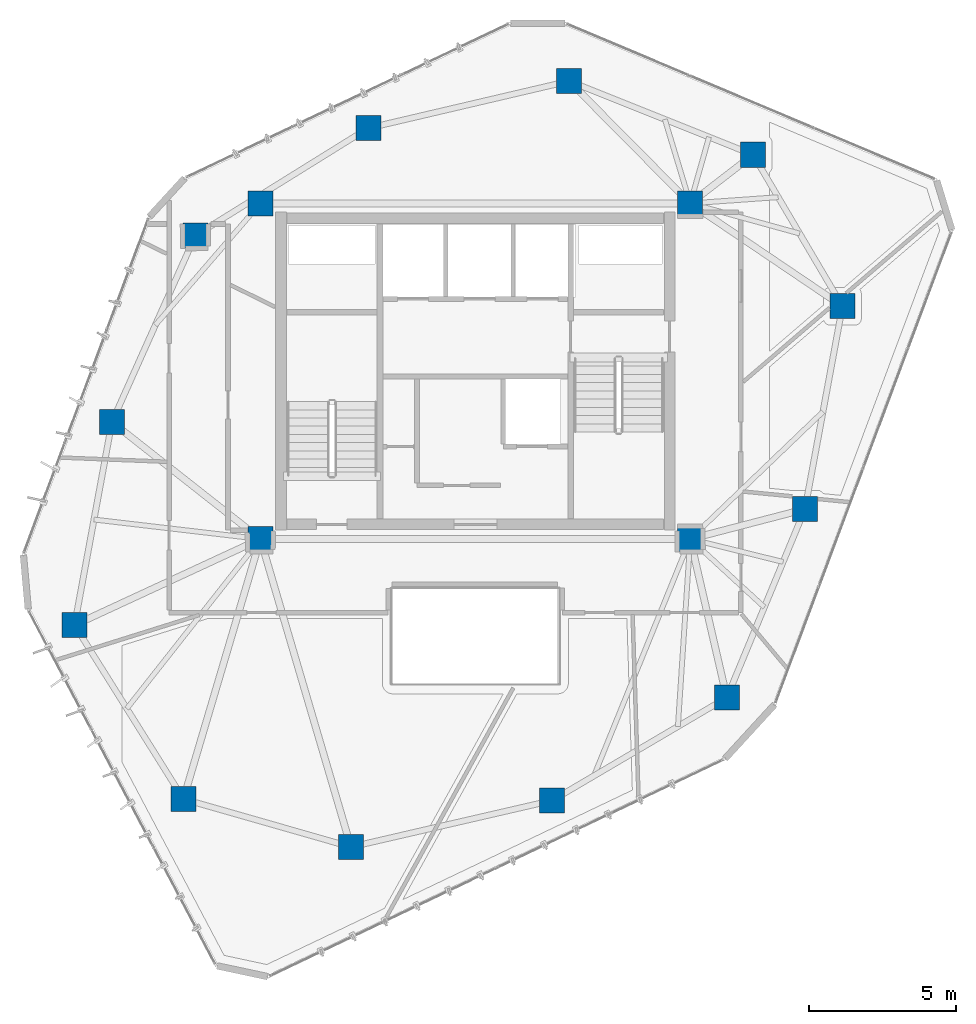
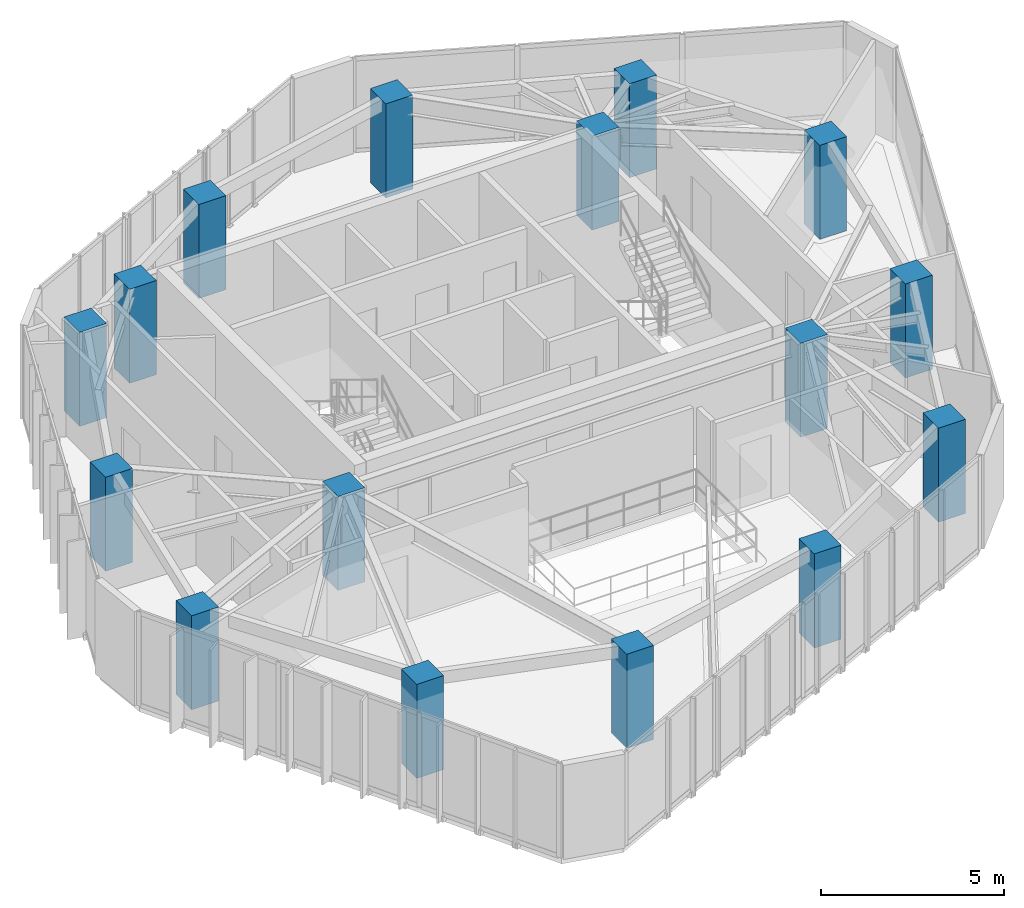
# One storey, part 1 of 20: 16 columns.
"""IFC4 building model written with IfcOpenShell, lengths in metres."""

from ifc_helpers import new_model, si_unit, direction, frame, origin, origin_2d, place, context, subcontext, project, spatial, rectangle, extrude, material, material_profile, profile_set, type_object, element, save


model = new_model("IFC4")

# Units and contexts
model_context = context("Model", 3, precision=1e-05, world=origin(), true_north=direction((0.0, 1.0)))
body_context = subcontext(model_context, "Body", "Model", "MODEL_VIEW")
ifc_project = project(units=[si_unit("LENGTHUNIT", "METRE"), si_unit("AREAUNIT", "SQUARE_METRE"), si_unit("VOLUMEUNIT", "CUBIC_METRE"), si_unit("PLANEANGLEUNIT", "RADIAN"), si_unit("MASSUNIT", "GRAM", prefix="KILO")], contexts=[model_context])

# Site, building, storey
site_placement = place(None, origin())
site = spatial("IfcSite", under=ifc_project, at=site_placement, CompositionType="ELEMENT")
building_placement = place(site_placement, origin())
building = spatial("IfcBuilding", under=site, at=building_placement, Name="Talar Marvaseh", CompositionType="ELEMENT")
storey_placement = place(building_placement, frame((0.0, 0.0, 268.0)))
storey = spatial("IfcBuildingStorey", under=building, at=storey_placement, Name="L71", CompositionType="ELEMENT", Elevation=268.0)

# Columns
ifc_material = material(Name="Concrete C50/60", Category="concrete")
ifc_material_profile = material_profile(ifc_material, rectangle(XDim=0.85009765625, YDim=0.85009765625, at=origin_2d()), Name="RC850x850")
ifc_profile_set = profile_set([ifc_material_profile], Name="Concrete C50/60")
column_type = type_object("IfcColumnType", Name="Zone 4 Tube Column RC850x850", PredefinedType="COLUMN", material=ifc_profile_set)
for number, where, z_axis, x_axis, name in (
    (1, (12.388916015625, 22.576904296875, 0.0), (0.0, 0.0, 1.0), (1.0, 0.0, 0.0), "L71 Zone 4 Tube Column RC850x850"),
    (2, (13.657958984375, 29.469970703125, 0.0), (0.0, 0.0, 1.0), (1.0, 0.0, 0.0), "L71 Zone 4 Tube Column RC850x850"),
    (3, (16.493896484375, 35.806884765625, 0.0), (0.0, 0.0, 1.0), (1.0, 0.0, 0.0), "L71 Zone 4 Tube Column RC850x850"),
    (4, (22.364990234375, 39.4541015625, 0.0), (0.0, 0.0, 1.0), (1.0, 0.0, 0.0), "L71 Zone 4 Tube Column RC850x850"),
    (5, (29.18798828125, 41.052001953125, 0.0), (0.0, 0.0, 1.0), (1.0, 0.0, 0.0), "L71 Zone 4 Tube Column RC850x850"),
    (6, (35.43798828125, 38.551025390625, 0.0), (0.0, 0.0, 1.0), (1.0, 0.0, 0.0), "L71 Zone 4 Tube Column RC850x850"),
    (7, (38.470947265625, 33.406005859375, 0.0), (0.0, 0.0, 1.0), (1.0, 0.0, 0.0), "L71 Zone 4 Tube Column RC850x850"),
    (8, (37.197021484375, 26.513916015625, 0.0), (0.0, 0.0, 1.0), (1.0, 0.0, 0.0), "L71 Zone 4 Tube Column RC850x850"),
    (9, (34.5439453125, 20.111083984375, 0.0), (0.0, 0.0, 1.0), (1.0, 0.0, 0.0), "L71 Zone 4 Tube Column RC850x850"),
    (10, (28.60498046875, 16.616943359375, 0.0), (0.0, 0.0, 1.0), (1.0, 0.0, 0.0), "L71 Zone 4 Tube Column RC850x850"),
    (11, (21.77587890625, 15.0400390625, 0.0), (0.0, 0.0, 1.0), (1.0, 0.0, 0.0), "L71 Zone 4 Tube Column RC850x850"),
    (12, (16.0869140625, 16.66796875, 0.0), (0.0, 0.0, 1.0), (1.0, 0.0, 0.0), "L71 Zone 4 Tube Column RC850x850"),
    (13, (18.699951171875, 25.5, 0.0), (0.0, 0.0, 1.0), (1.0, 0.0, 0.0), "L71 Zone 4 Tube Column RC850x850"),
    (14, (33.300048828125, 25.5, 0.0), (0.0, 0.0, 1.0), (1.0, 0.0, 0.0), "L71 Zone 4 Tube Column RC850x850"),
    (15, (33.300048828125, 36.89990234375, 0.0), (0.0, 0.0, 1.0), (1.0, 0.0, 0.0), "L71 Zone 4 Tube Column RC850x850"),
    (16, (18.699951171875, 36.89990234375, 0.0), (0.0, 0.0, 1.0), (1.0, 0.0, 0.0), "L71 Zone 4 Tube Column RC850x850"),
):
    element("IfcColumn", number, at=place(storey_placement, frame(where, z_axis=z_axis, x_axis=x_axis)), inside=storey, type_object=column_type, Name=name, PredefinedType="COLUMN", context=body_context, shape_type="SweptSolid", body=[
        extrude(rectangle(XDim=0.85009765625, YDim=0.85009765625, at=origin_2d()), origin(), (0.0, 0.0, 1.0), 3.139892578125),
    ])

save(model, "model.ifc")
